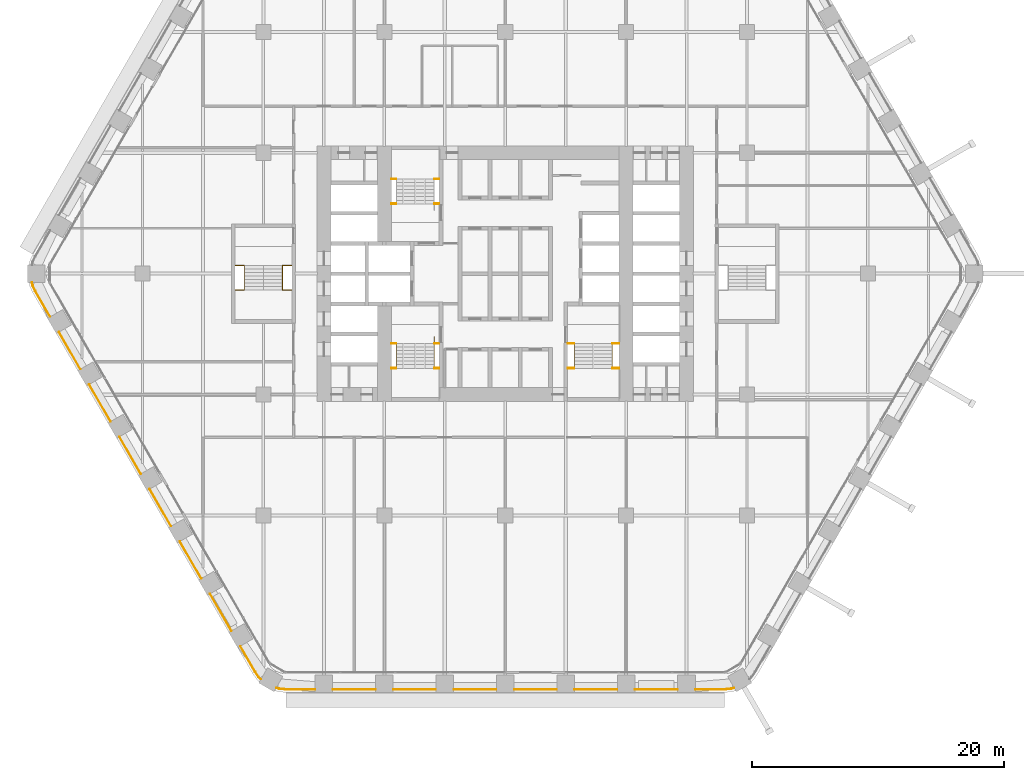
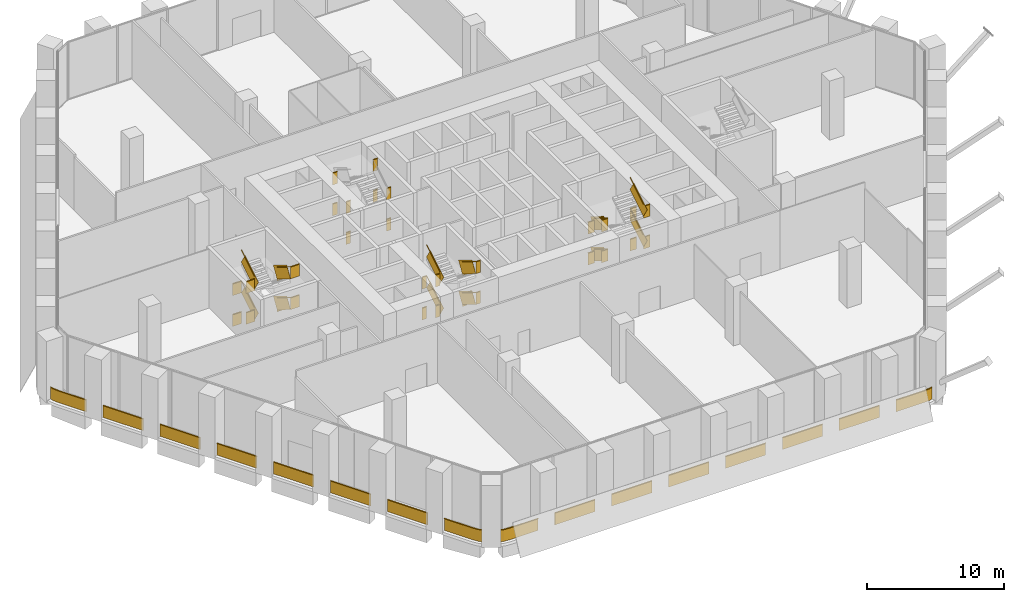
# One storey, part 28 of 29: 9 railings.
"""IFC4 building model written with IfcOpenShell, lengths in metres."""

from ifc_helpers import new_model, si_unit, direction, frame, frame_2d, origin, origin_2d, place, context, subcontext, project, spatial, rectangle, extrude, material, type_object, element, save


model = new_model("IFC4")

# Units and contexts
model_context = context("Model", 3, precision=1e-05, world=origin(), true_north=direction((0.0, 1.0)))
body_context = subcontext(model_context, "Body", "Model", "MODEL_VIEW")
ifc_project = project(units=[si_unit("LENGTHUNIT", "METRE"), si_unit("AREAUNIT", "SQUARE_METRE"), si_unit("VOLUMEUNIT", "CUBIC_METRE"), si_unit("PLANEANGLEUNIT", "RADIAN"), si_unit("MASSUNIT", "GRAM", prefix="KILO")], contexts=[model_context])

# Site, building, storey
site_placement = place(None, origin())
site = spatial("IfcSite", under=ifc_project, at=site_placement, CompositionType="ELEMENT")
building_placement = place(site_placement, origin())
building = spatial("IfcBuilding", under=site, at=building_placement, Name="Kolab Exchange Tower", CompositionType="ELEMENT")
storey_placement = place(building_placement, frame((0.0, 0.0, 55.39990234375)))
storey = spatial("IfcBuildingStorey", under=building, at=storey_placement, Name="L10", CompositionType="ELEMENT", Elevation=55.39990234375)

# Railings
ifc_material_1 = material(Name="Stainless steel 316", Category="steel")
railing_type_1 = type_object("IfcRailingType", Name="GUARD 1100", PredefinedType="GUARDRAIL", material=ifc_material_1)
railing_1_placement = place(storey_placement, frame((-9.050048828125, 5.550048828125, 0.0)))
element("IfcRailing", 1, at=railing_1_placement, inside=storey, type_object=railing_type_1, Name="Guard ST1", PredefinedType="GUARDRAIL", context=body_context, shape_type="SweptSolid", body=[
    extrude(rectangle(XDim=0.05, YDim=0.05, at=origin_2d()), frame((0.0, 0.0, 1.0751953125), z_axis=(1.0, 0.0, 0.0), x_axis=(0.0, 1.0, 0.0)), (0.0, 0.0, 1.0), 0.39013671875),
    extrude(rectangle(XDim=0.012, YDim=1.05009765625, at=frame_2d((0.0, 0.525146484375))), frame((0.0, 0.0, 0.0), z_axis=(1.0, 0.0, 0.0), x_axis=(0.0, 1.0, 0.0)), (0.0, 0.0, 1.0), 0.39013671875),
    extrude(rectangle(XDim=0.05, YDim=0.05, at=origin_2d()), frame((3.41015625, 0.0, 1.0751953125), z_axis=(1.0, 0.0, 0.0), x_axis=(0.0, 1.0, 0.0)), (0.0, 0.0, 1.0), 0.389892578125),
    extrude(rectangle(XDim=0.012, YDim=1.05009765625, at=frame_2d((0.0, 0.525146484375))), frame((3.41015625, 0.0, 0.0), z_axis=(1.0, 0.0, 0.0), x_axis=(0.0, 1.0, 0.0)), (0.0, 0.0, 1.0), 0.389892578125),
    extrude(rectangle(XDim=0.05, YDim=0.05, at=origin_2d()), frame((0.0, 1.9599609375, 2.4501953125), z_axis=(1.0, 0.0, 0.0), x_axis=(0.0, 1.0, 0.0)), (0.0, 0.0, 1.0), 0.39013671875),
    extrude(rectangle(XDim=0.012, YDim=1.05009765625, at=frame_2d((0.0, 0.525146484375))), frame((0.0, 1.9599609375, 1.375), z_axis=(1.0, 0.0, 0.0), x_axis=(0.0, 1.0, 0.0)), (0.0, 0.0, 1.0), 0.39013671875),
    extrude(rectangle(XDim=0.05, YDim=0.05, at=origin_2d()), frame((3.41015625, 1.9599609375, 2.4501953125), z_axis=(1.0, 0.0, 0.0), x_axis=(0.0, 1.0, 0.0)), (0.0, 0.0, 1.0), 0.389892578125),
    extrude(rectangle(XDim=0.012, YDim=1.05009765625, at=frame_2d((0.0, 0.525146484375))), frame((3.41015625, 1.9599609375, 1.375), z_axis=(1.0, 0.0, 0.0), x_axis=(0.0, 1.0, 0.0)), (0.0, 0.0, 1.0), 0.389892578125),
    extrude(rectangle(XDim=0.05, YDim=0.05, at=origin_2d()), frame((0.0, 0.0, 3.8251953125), z_axis=(1.0, 0.0, 0.0), x_axis=(0.0, 1.0, 0.0)), (0.0, 0.0, 1.0), 0.39013671875),
    extrude(rectangle(XDim=0.012, YDim=1.05009765625, at=frame_2d((0.0, 0.525146484375))), frame((0.0, 0.0, 2.75), z_axis=(1.0, 0.0, 0.0), x_axis=(0.0, 1.0, 0.0)), (0.0, 0.0, 1.0), 0.39013671875),
    extrude(rectangle(XDim=0.05, YDim=0.05, at=origin_2d()), frame((3.41015625, 0.0, 3.8251953125), z_axis=(1.0, 0.0, 0.0), x_axis=(0.0, 1.0, 0.0)), (0.0, 0.0, 1.0), 0.389892578125),
    extrude(rectangle(XDim=0.012, YDim=1.05009765625, at=frame_2d((0.0, 0.525146484375))), frame((3.41015625, 0.0, 2.75), z_axis=(1.0, 0.0, 0.0), x_axis=(0.0, 1.0, 0.0)), (0.0, 0.0, 1.0), 0.389892578125),
    extrude(rectangle(XDim=0.05, YDim=0.05, at=origin_2d()), frame((0.0, 1.9599609375, 5.2001953125), z_axis=(1.0, 0.0, 0.0), x_axis=(0.0, 1.0, 0.0)), (0.0, 0.0, 1.0), 0.39013671875),
    extrude(rectangle(XDim=0.012, YDim=1.05009765625, at=frame_2d((0.0, 0.525146484375))), frame((0.0, 1.9599609375, 4.125), z_axis=(1.0, 0.0, 0.0), x_axis=(0.0, 1.0, 0.0)), (0.0, 0.0, 1.0), 0.39013671875),
    extrude(rectangle(XDim=0.05, YDim=0.05, at=origin_2d()), frame((3.41015625, 1.9599609375, 5.2001953125), z_axis=(1.0, 0.0, 0.0), x_axis=(0.0, 1.0, 0.0)), (0.0, 0.0, 1.0), 0.389892578125),
    extrude(rectangle(XDim=0.012, YDim=1.05009765625, at=frame_2d((0.0, 0.525146484375))), frame((3.41015625, 1.9599609375, 4.125), z_axis=(1.0, 0.0, 0.0), x_axis=(0.0, 1.0, 0.0)), (0.0, 0.0, 1.0), 0.389892578125),
])
railing_2_placement = place(storey_placement, frame((-9.050048828125, -5.550048828125, 0.0)))
element("IfcRailing", 2, at=railing_2_placement, inside=storey, type_object=railing_type_1, Name="Guard ST3", PredefinedType="GUARDRAIL", context=body_context, shape_type="SweptSolid", body=[
    extrude(rectangle(XDim=0.05, YDim=0.05, at=origin_2d()), frame((0.0, 0.0, 1.0751953125), z_axis=(1.0, 0.0, 0.0), x_axis=(0.0, 1.0, 0.0)), (0.0, 0.0, 1.0), 0.39013671875),
    extrude(rectangle(XDim=0.012, YDim=1.05009765625, at=frame_2d((0.0, 0.525146484375))), frame((0.0, 0.0, 0.0), z_axis=(1.0, 0.0, 0.0), x_axis=(0.0, 1.0, 0.0)), (0.0, 0.0, 1.0), 0.39013671875),
    extrude(rectangle(XDim=0.05, YDim=0.05, at=origin_2d()), frame((3.41015625, 0.0, 1.0751953125), z_axis=(1.0, 0.0, 0.0), x_axis=(0.0, 1.0, 0.0)), (0.0, 0.0, 1.0), 0.389892578125),
    extrude(rectangle(XDim=0.012, YDim=1.05009765625, at=frame_2d((0.0, 0.525146484375))), frame((3.41015625, 0.0, 0.0), z_axis=(1.0, 0.0, 0.0), x_axis=(0.0, 1.0, 0.0)), (0.0, 0.0, 1.0), 0.389892578125),
    extrude(rectangle(XDim=0.05, YDim=0.05, at=origin_2d()), frame((0.0, -1.9599609375, 2.4501953125), z_axis=(1.0, 0.0, 0.0), x_axis=(0.0, 1.0, 0.0)), (0.0, 0.0, 1.0), 0.39013671875),
    extrude(rectangle(XDim=0.012, YDim=1.05009765625, at=frame_2d((0.0, 0.525146484375))), frame((0.0, -1.9599609375, 1.375), z_axis=(1.0, 0.0, 0.0), x_axis=(0.0, 1.0, 0.0)), (0.0, 0.0, 1.0), 0.39013671875),
    extrude(rectangle(XDim=0.05, YDim=0.05, at=origin_2d()), frame((3.41015625, -1.9599609375, 2.4501953125), z_axis=(1.0, 0.0, 0.0), x_axis=(0.0, 1.0, 0.0)), (0.0, 0.0, 1.0), 0.389892578125),
    extrude(rectangle(XDim=0.012, YDim=1.05009765625, at=frame_2d((0.0, 0.525146484375))), frame((3.41015625, -1.9599609375, 1.375), z_axis=(1.0, 0.0, 0.0), x_axis=(0.0, 1.0, 0.0)), (0.0, 0.0, 1.0), 0.389892578125),
    extrude(rectangle(XDim=0.05, YDim=0.05, at=origin_2d()), frame((0.0, 0.0, 3.8251953125), z_axis=(1.0, 0.0, 0.0), x_axis=(0.0, 1.0, 0.0)), (0.0, 0.0, 1.0), 0.39013671875),
    extrude(rectangle(XDim=0.012, YDim=1.05009765625, at=frame_2d((0.0, 0.525146484375))), frame((0.0, 0.0, 2.75), z_axis=(1.0, 0.0, 0.0), x_axis=(0.0, 1.0, 0.0)), (0.0, 0.0, 1.0), 0.39013671875),
    extrude(rectangle(XDim=0.05, YDim=0.05, at=origin_2d()), frame((3.41015625, 0.0, 3.8251953125), z_axis=(1.0, 0.0, 0.0), x_axis=(0.0, 1.0, 0.0)), (0.0, 0.0, 1.0), 0.389892578125),
    extrude(rectangle(XDim=0.012, YDim=1.05009765625, at=frame_2d((0.0, 0.525146484375))), frame((3.41015625, 0.0, 2.75), z_axis=(1.0, 0.0, 0.0), x_axis=(0.0, 1.0, 0.0)), (0.0, 0.0, 1.0), 0.389892578125),
    extrude(rectangle(XDim=0.05, YDim=0.05, at=origin_2d()), frame((0.0, -1.9599609375, 5.2001953125), z_axis=(1.0, 0.0, 0.0), x_axis=(0.0, 1.0, 0.0)), (0.0, 0.0, 1.0), 0.39013671875),
    extrude(rectangle(XDim=0.012, YDim=1.05009765625, at=frame_2d((0.0, 0.525146484375))), frame((0.0, -1.9599609375, 4.125), z_axis=(1.0, 0.0, 0.0), x_axis=(0.0, 1.0, 0.0)), (0.0, 0.0, 1.0), 0.39013671875),
    extrude(rectangle(XDim=0.05, YDim=0.05, at=origin_2d()), frame((3.41015625, -1.9599609375, 5.2001953125), z_axis=(1.0, 0.0, 0.0), x_axis=(0.0, 1.0, 0.0)), (0.0, 0.0, 1.0), 0.389892578125),
    extrude(rectangle(XDim=0.012, YDim=1.05009765625, at=frame_2d((0.0, 0.525146484375))), frame((3.41015625, -1.9599609375, 4.125), z_axis=(1.0, 0.0, 0.0), x_axis=(0.0, 1.0, 0.0)), (0.0, 0.0, 1.0), 0.389892578125),
])
railing_3_placement = place(storey_placement, frame((-5.639892578125, -5.550048828125, 0.172119140625)))
element("IfcRailing", 3, at=railing_3_placement, inside=storey, type_object=railing_type_1, Name="Handrail guard ST3", PredefinedType="GUARDRAIL", context=body_context, shape_type="SweptSolid", body=[
    extrude(rectangle(XDim=0.05, YDim=0.05, at=origin_2d()), frame((0.0, 0.0, 1.0751953125), z_axis=(0.0, -0.852288308005, 0.523072308613), x_axis=(1.0, 0.0, 0.0)), (0.0, 0.0, 1.0), 2.299560546875),
    extrude(rectangle(XDim=0.012, YDim=1.05009765625, at=frame_2d((0.0, 0.525146484375))), frame((0.0, 0.0, 0.0), z_axis=(0.0, -0.852288308005, 0.523072308613), x_axis=(1.0, 0.0, 0.0)), (0.0, 0.0, 1.0), 2.299560546875),
    extrude(rectangle(XDim=0.05, YDim=0.05, at=origin_2d()), frame((-3.02001953125, -1.9599609375, 2.4501953125), z_axis=(0.0, 0.852288308005, 0.523072308613), x_axis=(-1.0, 0.0, 0.0)), (0.0, 0.0, 1.0), 2.299560546875),
    extrude(rectangle(XDim=0.012, YDim=1.05009765625, at=frame_2d((0.0, 0.525146484375))), frame((-3.02001953125, -1.9599609375, 1.375), z_axis=(0.0, 0.852288308005, 0.523072308613), x_axis=(-1.0, 0.0, 0.0)), (0.0, 0.0, 1.0), 2.299560546875),
    extrude(rectangle(XDim=0.05, YDim=0.05, at=origin_2d()), frame((0.0, 0.0, 3.8251953125), z_axis=(0.0, -0.852288308005, 0.523072308613), x_axis=(1.0, 0.0, 0.0)), (0.0, 0.0, 1.0), 2.299560546875),
    extrude(rectangle(XDim=0.012, YDim=1.05009765625, at=frame_2d((0.0, 0.525146484375))), frame((0.0, 0.0, 2.75), z_axis=(0.0, -0.852288308005, 0.523072308613), x_axis=(1.0, 0.0, 0.0)), (0.0, 0.0, 1.0), 2.299560546875),
    extrude(rectangle(XDim=0.05, YDim=0.05, at=origin_2d()), frame((-3.02001953125, -1.9599609375, 5.2001953125), z_axis=(0.0, 0.852288308005, 0.523072308613), x_axis=(-1.0, 0.0, 0.0)), (0.0, 0.0, 1.0), 2.299560546875),
    extrude(rectangle(XDim=0.012, YDim=1.05009765625, at=frame_2d((0.0, 0.525146484375))), frame((-3.02001953125, -1.9599609375, 4.125), z_axis=(0.0, 0.852288308005, 0.523072308613), x_axis=(-1.0, 0.0, 0.0)), (0.0, 0.0, 1.0), 2.299560546875),
])
railing_4_placement = place(storey_placement, frame((4.949951171875, -5.550048828125, 0.0)))
element("IfcRailing", 4, at=railing_4_placement, inside=storey, type_object=railing_type_1, Name="Guard ST2", PredefinedType="GUARDRAIL", context=body_context, shape_type="SweptSolid", body=[
    extrude(rectangle(XDim=0.05, YDim=0.05, at=origin_2d()), frame((0.0, 0.0, 1.0751953125), z_axis=(1.0, 0.0, 0.0), x_axis=(0.0, 1.0, 0.0)), (0.0, 0.0, 1.0), 0.5400390625),
    extrude(rectangle(XDim=0.012, YDim=1.05009765625, at=frame_2d((0.0, 0.525146484375))), frame((0.0, 0.0, 0.0), z_axis=(1.0, 0.0, 0.0), x_axis=(0.0, 1.0, 0.0)), (0.0, 0.0, 1.0), 0.5400390625),
    extrude(rectangle(XDim=0.05, YDim=0.05, at=origin_2d()), frame((3.56005859375, 0.0, 1.0751953125), z_axis=(1.0, 0.0, 0.0), x_axis=(0.0, 1.0, 0.0)), (0.0, 0.0, 1.0), 0.5400390625),
    extrude(rectangle(XDim=0.012, YDim=1.05009765625, at=frame_2d((0.0, 0.525146484375))), frame((3.56005859375, 0.0, 0.0), z_axis=(1.0, 0.0, 0.0), x_axis=(0.0, 1.0, 0.0)), (0.0, 0.0, 1.0), 0.5400390625),
    extrude(rectangle(XDim=0.05, YDim=0.05, at=origin_2d()), frame((0.0, -1.9599609375, 2.4501953125), z_axis=(1.0, 0.0, 0.0), x_axis=(0.0, 1.0, 0.0)), (0.0, 0.0, 1.0), 0.5400390625),
    extrude(rectangle(XDim=0.012, YDim=1.05009765625, at=frame_2d((0.0, 0.525146484375))), frame((0.0, -1.9599609375, 1.375), z_axis=(1.0, 0.0, 0.0), x_axis=(0.0, 1.0, 0.0)), (0.0, 0.0, 1.0), 0.5400390625),
    extrude(rectangle(XDim=0.05, YDim=0.05, at=origin_2d()), frame((3.56005859375, -1.9599609375, 2.4501953125), z_axis=(1.0, 0.0, 0.0), x_axis=(0.0, 1.0, 0.0)), (0.0, 0.0, 1.0), 0.5400390625),
    extrude(rectangle(XDim=0.012, YDim=1.05009765625, at=frame_2d((0.0, 0.525146484375))), frame((3.56005859375, -1.9599609375, 1.375), z_axis=(1.0, 0.0, 0.0), x_axis=(0.0, 1.0, 0.0)), (0.0, 0.0, 1.0), 0.5400390625),
    extrude(rectangle(XDim=0.05, YDim=0.05, at=origin_2d()), frame((0.0, 0.0, 3.8251953125), z_axis=(1.0, 0.0, 0.0), x_axis=(0.0, 1.0, 0.0)), (0.0, 0.0, 1.0), 0.5400390625),
    extrude(rectangle(XDim=0.012, YDim=1.05009765625, at=frame_2d((0.0, 0.525146484375))), frame((0.0, 0.0, 2.75), z_axis=(1.0, 0.0, 0.0), x_axis=(0.0, 1.0, 0.0)), (0.0, 0.0, 1.0), 0.5400390625),
    extrude(rectangle(XDim=0.05, YDim=0.05, at=origin_2d()), frame((3.56005859375, 0.0, 3.8251953125), z_axis=(1.0, 0.0, 0.0), x_axis=(0.0, 1.0, 0.0)), (0.0, 0.0, 1.0), 0.5400390625),
    extrude(rectangle(XDim=0.012, YDim=1.05009765625, at=frame_2d((0.0, 0.525146484375))), frame((3.56005859375, 0.0, 2.75), z_axis=(1.0, 0.0, 0.0), x_axis=(0.0, 1.0, 0.0)), (0.0, 0.0, 1.0), 0.5400390625),
    extrude(rectangle(XDim=0.05, YDim=0.05, at=origin_2d()), frame((0.0, -1.9599609375, 5.2001953125), z_axis=(1.0, 0.0, 0.0), x_axis=(0.0, 1.0, 0.0)), (0.0, 0.0, 1.0), 0.5400390625),
    extrude(rectangle(XDim=0.012, YDim=1.05009765625, at=frame_2d((0.0, 0.525146484375))), frame((0.0, -1.9599609375, 4.125), z_axis=(1.0, 0.0, 0.0), x_axis=(0.0, 1.0, 0.0)), (0.0, 0.0, 1.0), 0.5400390625),
    extrude(rectangle(XDim=0.05, YDim=0.05, at=origin_2d()), frame((3.56005859375, -1.9599609375, 5.2001953125), z_axis=(1.0, 0.0, 0.0), x_axis=(0.0, 1.0, 0.0)), (0.0, 0.0, 1.0), 0.5400390625),
    extrude(rectangle(XDim=0.012, YDim=1.05009765625, at=frame_2d((0.0, 0.525146484375))), frame((3.56005859375, -1.9599609375, 4.125), z_axis=(1.0, 0.0, 0.0), x_axis=(0.0, 1.0, 0.0)), (0.0, 0.0, 1.0), 0.5400390625),
])
railing_5_placement = place(storey_placement, frame((5.489990234375, -5.550048828125, 0.172119140625)))
element("IfcRailing", 5, at=railing_5_placement, inside=storey, type_object=railing_type_1, Name="Handrail guard ST2", PredefinedType="GUARDRAIL", context=body_context, shape_type="SweptSolid", body=[
    extrude(rectangle(XDim=0.05, YDim=0.05, at=origin_2d()), frame((0.0, 0.0, 1.0751953125), z_axis=(0.0, -0.852288308005, 0.523072308613), x_axis=(1.0, 0.0, 0.0)), (0.0, 0.0, 1.0), 2.299560546875),
    extrude(rectangle(XDim=0.012, YDim=1.05009765625, at=frame_2d((0.0, 0.525146484375))), frame((0.0, 0.0, 0.0), z_axis=(0.0, -0.852288308005, 0.523072308613), x_axis=(1.0, 0.0, 0.0)), (0.0, 0.0, 1.0), 2.299560546875),
    extrude(rectangle(XDim=0.05, YDim=0.05, at=origin_2d()), frame((3.02001953125, -1.9599609375, 2.4501953125), z_axis=(0.0, 0.852288308005, 0.523072308613), x_axis=(-1.0, 0.0, 0.0)), (0.0, 0.0, 1.0), 2.299560546875),
    extrude(rectangle(XDim=0.012, YDim=1.05009765625, at=frame_2d((0.0, 0.525146484375))), frame((3.02001953125, -1.9599609375, 1.375), z_axis=(0.0, 0.852288308005, 0.523072308613), x_axis=(-1.0, 0.0, 0.0)), (0.0, 0.0, 1.0), 2.299560546875),
    extrude(rectangle(XDim=0.05, YDim=0.05, at=origin_2d()), frame((0.0, 0.0, 3.8251953125), z_axis=(0.0, -0.852288308005, 0.523072308613), x_axis=(1.0, 0.0, 0.0)), (0.0, 0.0, 1.0), 2.299560546875),
    extrude(rectangle(XDim=0.012, YDim=1.05009765625, at=frame_2d((0.0, 0.525146484375))), frame((0.0, 0.0, 2.75), z_axis=(0.0, -0.852288308005, 0.523072308613), x_axis=(1.0, 0.0, 0.0)), (0.0, 0.0, 1.0), 2.299560546875),
    extrude(rectangle(XDim=0.05, YDim=0.05, at=origin_2d()), frame((3.02001953125, -1.9599609375, 5.2001953125), z_axis=(0.0, 0.852288308005, 0.523072308613), x_axis=(-1.0, 0.0, 0.0)), (0.0, 0.0, 1.0), 2.299560546875),
    extrude(rectangle(XDim=0.012, YDim=1.05009765625, at=frame_2d((0.0, 0.525146484375))), frame((3.02001953125, -1.9599609375, 4.125), z_axis=(0.0, 0.852288308005, 0.523072308613), x_axis=(-1.0, 0.0, 0.0)), (0.0, 0.0, 1.0), 2.299560546875),
])
railing_6_placement = place(storey_placement, frame((-21.449951171875, 0.64990234375, 0.0)))
element("IfcRailing", 6, at=railing_6_placement, inside=storey, type_object=railing_type_1, Name="Guard ST5", PredefinedType="GUARDRAIL", context=body_context, shape_type="SweptSolid", body=[
    extrude(rectangle(XDim=0.05, YDim=0.05, at=origin_2d()), frame((0.0, 0.0, 1.0751953125), z_axis=(1.0, 0.0, 0.0), x_axis=(0.0, 1.0, 0.0)), (0.0, 0.0, 1.0), 0.739990234375),
    extrude(rectangle(XDim=0.012, YDim=1.05009765625, at=frame_2d((0.0, 0.525146484375))), frame((0.0, 0.0, 0.0), z_axis=(1.0, 0.0, 0.0), x_axis=(0.0, 1.0, 0.0)), (0.0, 0.0, 1.0), 0.739990234375),
    extrude(rectangle(XDim=0.05, YDim=0.05, at=origin_2d()), frame((3.760009765625, 0.0, 1.0751953125), z_axis=(1.0, 0.0, 0.0), x_axis=(0.0, 1.0, 0.0)), (0.0, 0.0, 1.0), 0.739990234375),
    extrude(rectangle(XDim=0.012, YDim=1.05009765625, at=frame_2d((0.0, 0.525146484375))), frame((3.760009765625, 0.0, 0.0), z_axis=(1.0, 0.0, 0.0), x_axis=(0.0, 1.0, 0.0)), (0.0, 0.0, 1.0), 0.739990234375),
    extrude(rectangle(XDim=0.05, YDim=0.05, at=origin_2d()), frame((0.0, -1.9599609375, 2.4501953125), z_axis=(1.0, 0.0, 0.0), x_axis=(0.0, 1.0, 0.0)), (0.0, 0.0, 1.0), 0.739990234375),
    extrude(rectangle(XDim=0.012, YDim=1.05009765625, at=frame_2d((0.0, 0.525146484375))), frame((0.0, -1.9599609375, 1.375), z_axis=(1.0, 0.0, 0.0), x_axis=(0.0, 1.0, 0.0)), (0.0, 0.0, 1.0), 0.739990234375),
    extrude(rectangle(XDim=0.05, YDim=0.05, at=origin_2d()), frame((3.760009765625, -1.9599609375, 2.4501953125), z_axis=(1.0, 0.0, 0.0), x_axis=(0.0, 1.0, 0.0)), (0.0, 0.0, 1.0), 0.739990234375),
    extrude(rectangle(XDim=0.012, YDim=1.05009765625, at=frame_2d((0.0, 0.525146484375))), frame((3.760009765625, -1.9599609375, 1.375), z_axis=(1.0, 0.0, 0.0), x_axis=(0.0, 1.0, 0.0)), (0.0, 0.0, 1.0), 0.739990234375),
    extrude(rectangle(XDim=0.05, YDim=0.05, at=origin_2d()), frame((0.0, 0.0, 3.8251953125), z_axis=(1.0, 0.0, 0.0), x_axis=(0.0, 1.0, 0.0)), (0.0, 0.0, 1.0), 0.739990234375),
    extrude(rectangle(XDim=0.012, YDim=1.05009765625, at=frame_2d((0.0, 0.525146484375))), frame((0.0, 0.0, 2.75), z_axis=(1.0, 0.0, 0.0), x_axis=(0.0, 1.0, 0.0)), (0.0, 0.0, 1.0), 0.739990234375),
    extrude(rectangle(XDim=0.05, YDim=0.05, at=origin_2d()), frame((3.760009765625, 0.0, 3.8251953125), z_axis=(1.0, 0.0, 0.0), x_axis=(0.0, 1.0, 0.0)), (0.0, 0.0, 1.0), 0.739990234375),
    extrude(rectangle(XDim=0.012, YDim=1.05009765625, at=frame_2d((0.0, 0.525146484375))), frame((3.760009765625, 0.0, 2.75), z_axis=(1.0, 0.0, 0.0), x_axis=(0.0, 1.0, 0.0)), (0.0, 0.0, 1.0), 0.739990234375),
    extrude(rectangle(XDim=0.05, YDim=0.05, at=origin_2d()), frame((0.0, -1.9599609375, 5.2001953125), z_axis=(1.0, 0.0, 0.0), x_axis=(0.0, 1.0, 0.0)), (0.0, 0.0, 1.0), 0.739990234375),
    extrude(rectangle(XDim=0.012, YDim=1.05009765625, at=frame_2d((0.0, 0.525146484375))), frame((0.0, -1.9599609375, 4.125), z_axis=(1.0, 0.0, 0.0), x_axis=(0.0, 1.0, 0.0)), (0.0, 0.0, 1.0), 0.739990234375),
    extrude(rectangle(XDim=0.05, YDim=0.05, at=origin_2d()), frame((3.760009765625, -1.9599609375, 5.2001953125), z_axis=(1.0, 0.0, 0.0), x_axis=(0.0, 1.0, 0.0)), (0.0, 0.0, 1.0), 0.739990234375),
    extrude(rectangle(XDim=0.012, YDim=1.05009765625, at=frame_2d((0.0, 0.525146484375))), frame((3.760009765625, -1.9599609375, 4.125), z_axis=(1.0, 0.0, 0.0), x_axis=(0.0, 1.0, 0.0)), (0.0, 0.0, 1.0), 0.739990234375),
])
railing_7_placement = place(storey_placement, frame((-17.68994140625, 0.64990234375, 0.172119140625)))
element("IfcRailing", 7, at=railing_7_placement, inside=storey, type_object=railing_type_1, Name="Handrail guard ST5", PredefinedType="GUARDRAIL", context=body_context, shape_type="SweptSolid", body=[
    extrude(rectangle(XDim=0.05, YDim=0.05, at=origin_2d()), frame((0.0, 0.0, 1.0751953125), z_axis=(0.0, -0.852288308005, 0.523072308613), x_axis=(1.0, 0.0, 0.0)), (0.0, 0.0, 1.0), 2.299560546875),
    extrude(rectangle(XDim=0.012, YDim=1.05009765625, at=frame_2d((0.0, 0.525146484375))), frame((0.0, 0.0, 0.0), z_axis=(0.0, -0.852288308005, 0.523072308613), x_axis=(1.0, 0.0, 0.0)), (0.0, 0.0, 1.0), 2.299560546875),
    extrude(rectangle(XDim=0.05, YDim=0.05, at=origin_2d()), frame((-3.02001953125, -1.9599609375, 2.4501953125), z_axis=(0.0, 0.852288308005, 0.523072308613), x_axis=(-1.0, 0.0, 0.0)), (0.0, 0.0, 1.0), 2.299560546875),
    extrude(rectangle(XDim=0.012, YDim=1.05009765625, at=frame_2d((0.0, 0.525146484375))), frame((-3.02001953125, -1.9599609375, 1.375), z_axis=(0.0, 0.852288308005, 0.523072308613), x_axis=(-1.0, 0.0, 0.0)), (0.0, 0.0, 1.0), 2.299560546875),
    extrude(rectangle(XDim=0.05, YDim=0.05, at=origin_2d()), frame((0.0, 0.0, 3.8251953125), z_axis=(0.0, -0.852288308005, 0.523072308613), x_axis=(1.0, 0.0, 0.0)), (0.0, 0.0, 1.0), 2.299560546875),
    extrude(rectangle(XDim=0.012, YDim=1.05009765625, at=frame_2d((0.0, 0.525146484375))), frame((0.0, 0.0, 2.75), z_axis=(0.0, -0.852288308005, 0.523072308613), x_axis=(1.0, 0.0, 0.0)), (0.0, 0.0, 1.0), 2.299560546875),
    extrude(rectangle(XDim=0.05, YDim=0.05, at=origin_2d()), frame((-3.02001953125, -1.9599609375, 5.2001953125), z_axis=(0.0, 0.852288308005, 0.523072308613), x_axis=(-1.0, 0.0, 0.0)), (0.0, 0.0, 1.0), 2.299560546875),
    extrude(rectangle(XDim=0.012, YDim=1.05009765625, at=frame_2d((0.0, 0.525146484375))), frame((-3.02001953125, -1.9599609375, 4.125), z_axis=(0.0, 0.852288308005, 0.523072308613), x_axis=(-1.0, 0.0, 0.0)), (0.0, 0.0, 1.0), 2.299560546875),
])
ifc_material_2 = material(Name="Steel S235", Category="steel")
railing_type_2 = type_object("IfcRailingType", Name="GUARD 1100 GLASS BALUSTRADE AND STEEL TOP RAIL", PredefinedType="GUARDRAIL", material=ifc_material_2)
railing_8_placement = place(storey_placement, frame((-18.1953125, -32.896728515625, 0.0)))
element("IfcRailing", 8, at=railing_8_placement, inside=storey, type_object=railing_type_2, Name="Guard", PredefinedType="GUARDRAIL", context=body_context, shape_type="SweptSolid", body=[
    extrude(rectangle(XDim=0.05, YDim=0.05, at=origin_2d()), frame((0.0, 0.0, 1.0751953125), z_axis=(0.965952265455, -0.258720352624, 0.0), x_axis=(0.258720352624, 0.965952265455, 0.0)), (0.0, 0.0, 1.0), 0.258544921875),
    extrude(rectangle(XDim=0.012, YDim=1.05009765625, at=frame_2d((0.0, 0.525146484375))), frame((0.0, 0.0, 0.0), z_axis=(0.965952265455, -0.258720352624, 0.0), x_axis=(0.258720352624, 0.965952265455, 0.0)), (0.0, 0.0, 1.0), 0.258544921875),
    extrude(rectangle(XDim=0.05, YDim=0.05, at=origin_2d()), frame((0.249755859375, -0.06689453125, 1.0751953125), z_axis=(0.996200348447, -0.087091134757, 0.0), x_axis=(0.087091134757, 0.996200348447, 0.0)), (0.0, 0.0, 1.0), 0.479248046875),
    extrude(rectangle(XDim=0.012, YDim=1.05009765625, at=frame_2d((0.0, 0.525146484375))), frame((0.249755859375, -0.06689453125, 0.0), z_axis=(0.996200348447, -0.087091134757, 0.0), x_axis=(0.087091134757, 0.996200348447, 0.0)), (0.0, 0.0, 1.0), 0.479248046875),
    extrude(rectangle(XDim=0.05, YDim=0.05, at=origin_2d()), frame((0.727294921875, -0.108642578125, 1.0751953125), z_axis=(1.0, 0.0, 0.0), x_axis=(0.0, 1.0, 0.0)), (0.0, 0.0, 1.0), 2.367919921875),
    extrude(rectangle(XDim=0.012, YDim=1.05009765625, at=frame_2d((0.0, 0.525146484375))), frame((0.727294921875, -0.108642578125, 0.0), z_axis=(1.0, 0.0, 0.0), x_axis=(0.0, 1.0, 0.0)), (0.0, 0.0, 1.0), 2.367919921875),
    extrude(rectangle(XDim=0.05, YDim=0.05, at=origin_2d()), frame((4.495361328125, -0.108642578125, 1.0751953125), z_axis=(1.0, 0.0, 0.0), x_axis=(0.0, 1.0, 0.0)), (0.0, 0.0, 1.0), 3.39990234375),
    extrude(rectangle(XDim=0.012, YDim=1.05009765625, at=frame_2d((0.0, 0.525146484375))), frame((4.495361328125, -0.108642578125, 0.0), z_axis=(1.0, 0.0, 0.0), x_axis=(0.0, 1.0, 0.0)), (0.0, 0.0, 1.0), 3.39990234375),
    extrude(rectangle(XDim=0.05, YDim=0.05, at=origin_2d()), frame((9.29541015625, -0.108642578125, 1.0751953125), z_axis=(1.0, 0.0, 0.0), x_axis=(0.0, 1.0, 0.0)), (0.0, 0.0, 1.0), 3.39990234375),
    extrude(rectangle(XDim=0.012, YDim=1.05009765625, at=frame_2d((0.0, 0.525146484375))), frame((9.29541015625, -0.108642578125, 0.0), z_axis=(1.0, 0.0, 0.0), x_axis=(0.0, 1.0, 0.0)), (0.0, 0.0, 1.0), 3.39990234375),
    extrude(rectangle(XDim=0.05, YDim=0.05, at=origin_2d()), frame((14.09521484375, -0.108642578125, 1.0751953125), z_axis=(1.0, 0.0, 0.0), x_axis=(0.0, 1.0, 0.0)), (0.0, 0.0, 1.0), 3.400146484375),
    extrude(rectangle(XDim=0.012, YDim=1.05009765625, at=frame_2d((0.0, 0.525146484375))), frame((14.09521484375, -0.108642578125, 0.0), z_axis=(1.0, 0.0, 0.0), x_axis=(0.0, 1.0, 0.0)), (0.0, 0.0, 1.0), 3.400146484375),
    extrude(rectangle(XDim=0.05, YDim=0.05, at=origin_2d()), frame((18.895263671875, -0.108642578125, 1.0751953125), z_axis=(1.0, 0.0, 0.0), x_axis=(0.0, 1.0, 0.0)), (0.0, 0.0, 1.0), 3.400146484375),
    extrude(rectangle(XDim=0.012, YDim=1.05009765625, at=frame_2d((0.0, 0.525146484375))), frame((18.895263671875, -0.108642578125, 0.0), z_axis=(1.0, 0.0, 0.0), x_axis=(0.0, 1.0, 0.0)), (0.0, 0.0, 1.0), 3.400146484375),
    extrude(rectangle(XDim=0.05, YDim=0.05, at=origin_2d()), frame((23.6953125, -0.108642578125, 1.0751953125), z_axis=(1.0, 0.0, 0.0), x_axis=(0.0, 1.0, 0.0)), (0.0, 0.0, 1.0), 3.39990234375),
    extrude(rectangle(XDim=0.012, YDim=1.05009765625, at=frame_2d((0.0, 0.525146484375))), frame((23.6953125, -0.108642578125, 0.0), z_axis=(1.0, 0.0, 0.0), x_axis=(0.0, 1.0, 0.0)), (0.0, 0.0, 1.0), 3.39990234375),
    extrude(rectangle(XDim=0.05, YDim=0.05, at=origin_2d()), frame((28.495361328125, -0.108642578125, 1.0751953125), z_axis=(1.0, 0.0, 0.0), x_axis=(0.0, 1.0, 0.0)), (0.0, 0.0, 1.0), 3.39990234375),
    extrude(rectangle(XDim=0.012, YDim=1.05009765625, at=frame_2d((0.0, 0.525146484375))), frame((28.495361328125, -0.108642578125, 0.0), z_axis=(1.0, 0.0, 0.0), x_axis=(0.0, 1.0, 0.0)), (0.0, 0.0, 1.0), 3.39990234375),
    extrude(rectangle(XDim=0.05, YDim=0.05, at=origin_2d()), frame((33.29541015625, -0.108642578125, 1.0751953125), z_axis=(1.0, 0.0, 0.0), x_axis=(0.0, 1.0, 0.0)), (0.0, 0.0, 1.0), 2.367919921875),
    extrude(rectangle(XDim=0.012, YDim=1.05009765625, at=frame_2d((0.0, 0.525146484375))), frame((33.29541015625, -0.108642578125, 0.0), z_axis=(1.0, 0.0, 0.0), x_axis=(0.0, 1.0, 0.0)), (0.0, 0.0, 1.0), 2.367919921875),
    extrude(rectangle(XDim=0.05, YDim=0.05, at=origin_2d()), frame((35.663330078125, -0.108642578125, 1.0751953125), z_axis=(0.996200348447, 0.087091134757, 0.0), x_axis=(-0.087091134757, 0.996200348447, 0.0)), (0.0, 0.0, 1.0), 0.479248046875),
    extrude(rectangle(XDim=0.012, YDim=1.05009765625, at=frame_2d((0.0, 0.525146484375))), frame((35.663330078125, -0.108642578125, 0.0), z_axis=(0.996200348447, 0.087091134757, 0.0), x_axis=(-0.087091134757, 0.996200348447, 0.0)), (0.0, 0.0, 1.0), 0.479248046875),
    extrude(rectangle(XDim=0.05, YDim=0.05, at=origin_2d()), frame((36.140869140625, -0.06689453125, 1.0751953125), z_axis=(0.965952265455, 0.258720352624, 0.0), x_axis=(-0.258720352624, 0.965952265455, 0.0)), (0.0, 0.0, 1.0), 0.258544921875),
    extrude(rectangle(XDim=0.012, YDim=1.05009765625, at=frame_2d((0.0, 0.525146484375))), frame((36.140869140625, -0.06689453125, 0.0), z_axis=(0.965952265455, 0.258720352624, 0.0), x_axis=(-0.258720352624, 0.965952265455, 0.0)), (0.0, 0.0, 1.0), 0.258544921875),
])
railing_9_placement = place(storey_placement, frame((-37.5869140625, -0.690673828125, 0.0)))
element("IfcRailing", 9, at=railing_9_placement, inside=storey, type_object=railing_type_2, Name="Guard", PredefinedType="GUARDRAIL", context=body_context, shape_type="SweptSolid", body=[
    extrude(rectangle(XDim=0.05, YDim=0.05, at=origin_2d()), frame((0.0, 0.0, 1.0751953125), z_axis=(0.258484584798, -0.966015382601, 0.0), x_axis=(0.966015382601, 0.258484584798, 0.0)), (0.0, 0.0, 1.0), 0.2587890625),
    extrude(rectangle(XDim=0.012, YDim=1.05009765625, at=frame_2d((0.0, 0.525146484375))), frame((0.0, 0.0, 0.0), z_axis=(0.258484584798, -0.966015382601, 0.0), x_axis=(0.966015382601, 0.258484584798, 0.0)), (0.0, 0.0, 1.0), 0.2587890625),
    extrude(rectangle(XDim=0.05, YDim=0.05, at=origin_2d()), frame((0.06689453125, -0.25, 1.0751953125), z_axis=(0.422801802984, -0.906222177721, 0.0), x_axis=(0.906222177721, 0.422801802984, 0.0)), (0.0, 0.0, 1.0), 0.479248046875),
    extrude(rectangle(XDim=0.012, YDim=1.05009765625, at=frame_2d((0.0, 0.525146484375))), frame((0.06689453125, -0.25, 0.0), z_axis=(0.422801802984, -0.906222177721, 0.0), x_axis=(0.906222177721, 0.422801802984, 0.0)), (0.0, 0.0, 1.0), 0.479248046875),
    extrude(rectangle(XDim=0.05, YDim=0.05, at=origin_2d()), frame((0.26953125, -0.684326171875, 1.0751953125), z_axis=(0.499942602326, -0.866058539811, 0.0), x_axis=(0.866058539811, 0.499942602326, 0.0)), (0.0, 0.0, 1.0), 2.367919921875),
    extrude(rectangle(XDim=0.012, YDim=1.05009765625, at=frame_2d((0.0, 0.525146484375))), frame((0.26953125, -0.684326171875, 0.0), z_axis=(0.499942602326, -0.866058539811, 0.0), x_axis=(0.866058539811, 0.499942602326, 0.0)), (0.0, 0.0, 1.0), 2.367919921875),
    extrude(rectangle(XDim=0.05, YDim=0.05, at=origin_2d()), frame((2.1533203125, -3.947509765625, 1.0751953125), z_axis=(0.500062241894, -0.865989465428, 0.0), x_axis=(0.865989465428, 0.500062241894, 0.0)), (0.0, 0.0, 1.0), 3.39990234375),
    extrude(rectangle(XDim=0.012, YDim=1.05009765625, at=frame_2d((0.0, 0.525146484375))), frame((2.1533203125, -3.947509765625, 0.0), z_axis=(0.500062241894, -0.865989465428, 0.0), x_axis=(0.865989465428, 0.500062241894, 0.0)), (0.0, 0.0, 1.0), 3.39990234375),
    extrude(rectangle(XDim=0.05, YDim=0.05, at=origin_2d()), frame((4.553466796875, -8.1044921875, 1.0751953125), z_axis=(0.500008388397, -0.866020560687, 0.0), x_axis=(0.866020560687, 0.500008388397, 0.0)), (0.0, 0.0, 1.0), 3.39990234375),
    extrude(rectangle(XDim=0.012, YDim=1.05009765625, at=frame_2d((0.0, 0.525146484375))), frame((4.553466796875, -8.1044921875, 0.0), z_axis=(0.500008388397, -0.866020560687, 0.0), x_axis=(0.866020560687, 0.500008388397, 0.0)), (0.0, 0.0, 1.0), 3.39990234375),
    extrude(rectangle(XDim=0.05, YDim=0.05, at=origin_2d()), frame((6.953369140625, -12.26123046875, 1.0751953125), z_axis=(0.499977295307, -0.866038511948, 0.0), x_axis=(0.866038511948, 0.499977295307, 0.0)), (0.0, 0.0, 1.0), 3.400146484375),
    extrude(rectangle(XDim=0.012, YDim=1.05009765625, at=frame_2d((0.0, 0.525146484375))), frame((6.953369140625, -12.26123046875, 0.0), z_axis=(0.499977295307, -0.866038511948, 0.0), x_axis=(0.866038511948, 0.499977295307, 0.0)), (0.0, 0.0, 1.0), 3.400146484375),
    extrude(rectangle(XDim=0.05, YDim=0.05, at=origin_2d()), frame((9.353515625, -16.418212890625, 1.0751953125), z_axis=(0.499977295307, -0.866038511948, 0.0), x_axis=(0.866038511948, 0.499977295307, 0.0)), (0.0, 0.0, 1.0), 3.400146484375),
    extrude(rectangle(XDim=0.012, YDim=1.05009765625, at=frame_2d((0.0, 0.525146484375))), frame((9.353515625, -16.418212890625, 0.0), z_axis=(0.499977295307, -0.866038511948, 0.0), x_axis=(0.866038511948, 0.499977295307, 0.0)), (0.0, 0.0, 1.0), 3.400146484375),
    extrude(rectangle(XDim=0.05, YDim=0.05, at=origin_2d()), frame((11.75341796875, -20.5751953125, 1.0751953125), z_axis=(0.500008388397, -0.866020560687, 0.0), x_axis=(0.866020560687, 0.500008388397, 0.0)), (0.0, 0.0, 1.0), 3.39990234375),
    extrude(rectangle(XDim=0.012, YDim=1.05009765625, at=frame_2d((0.0, 0.525146484375))), frame((11.75341796875, -20.5751953125, 0.0), z_axis=(0.500008388397, -0.866020560687, 0.0), x_axis=(0.866020560687, 0.500008388397, 0.0)), (0.0, 0.0, 1.0), 3.39990234375),
    extrude(rectangle(XDim=0.05, YDim=0.05, at=origin_2d()), frame((14.1533203125, -24.732177734375, 1.0751953125), z_axis=(0.500062241894, -0.865989465428, 0.0), x_axis=(0.865989465428, 0.500062241894, 0.0)), (0.0, 0.0, 1.0), 3.39990234375),
    extrude(rectangle(XDim=0.012, YDim=1.05009765625, at=frame_2d((0.0, 0.525146484375))), frame((14.1533203125, -24.732177734375, 0.0), z_axis=(0.500062241894, -0.865989465428, 0.0), x_axis=(0.865989465428, 0.500062241894, 0.0)), (0.0, 0.0, 1.0), 3.39990234375),
    extrude(rectangle(XDim=0.05, YDim=0.05, at=origin_2d()), frame((16.553466796875, -28.888916015625, 1.0751953125), z_axis=(0.499942602326, -0.866058539811, 0.0), x_axis=(0.866058539811, 0.499942602326, 0.0)), (0.0, 0.0, 1.0), 2.367919921875),
    extrude(rectangle(XDim=0.012, YDim=1.05009765625, at=frame_2d((0.0, 0.525146484375))), frame((16.553466796875, -28.888916015625, 0.0), z_axis=(0.499942602326, -0.866058539811, 0.0), x_axis=(0.866058539811, 0.499942602326, 0.0)), (0.0, 0.0, 1.0), 2.367919921875),
    extrude(rectangle(XDim=0.05, YDim=0.05, at=origin_2d()), frame((17.7373046875, -30.939697265625, 1.0751953125), z_axis=(0.573940749815, -0.818896828485, 0.0), x_axis=(0.818896828485, 0.573940749815, 0.0)), (0.0, 0.0, 1.0), 0.4794921875),
    extrude(rectangle(XDim=0.012, YDim=1.05009765625, at=frame_2d((0.0, 0.525146484375))), frame((17.7373046875, -30.939697265625, 0.0), z_axis=(0.573940749815, -0.818896828485, 0.0), x_axis=(0.818896828485, 0.573940749815, 0.0)), (0.0, 0.0, 1.0), 0.4794921875),
    extrude(rectangle(XDim=0.05, YDim=0.05, at=origin_2d()), frame((18.012451171875, -31.332275390625, 1.0751953125), z_axis=(0.706634904947, -0.707578342737, 0.0), x_axis=(0.707578342737, 0.706634904947, 0.0)), (0.0, 0.0, 1.0), 0.2587890625),
    extrude(rectangle(XDim=0.012, YDim=1.05009765625, at=frame_2d((0.0, 0.525146484375))), frame((18.012451171875, -31.332275390625, 0.0), z_axis=(0.706634904947, -0.707578342737, 0.0), x_axis=(0.707578342737, 0.706634904947, 0.0)), (0.0, 0.0, 1.0), 0.2587890625),
])

save(model, "model.ifc")
